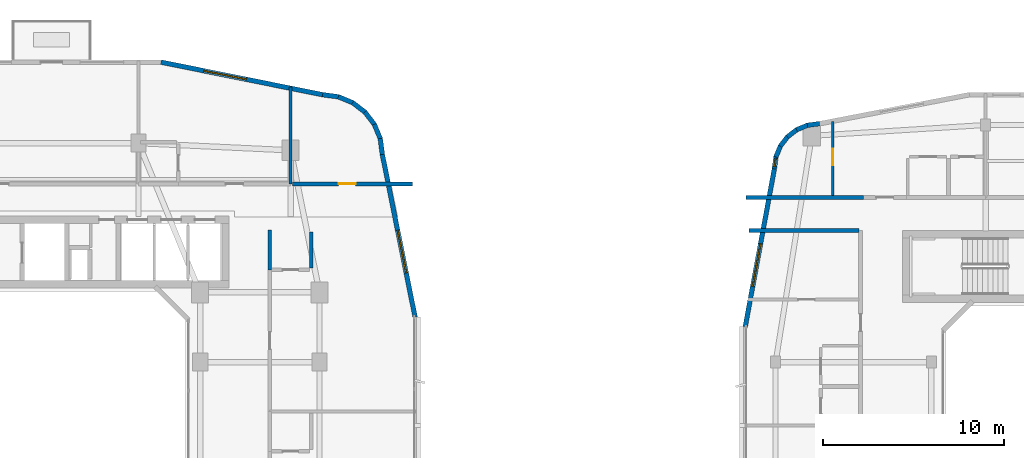
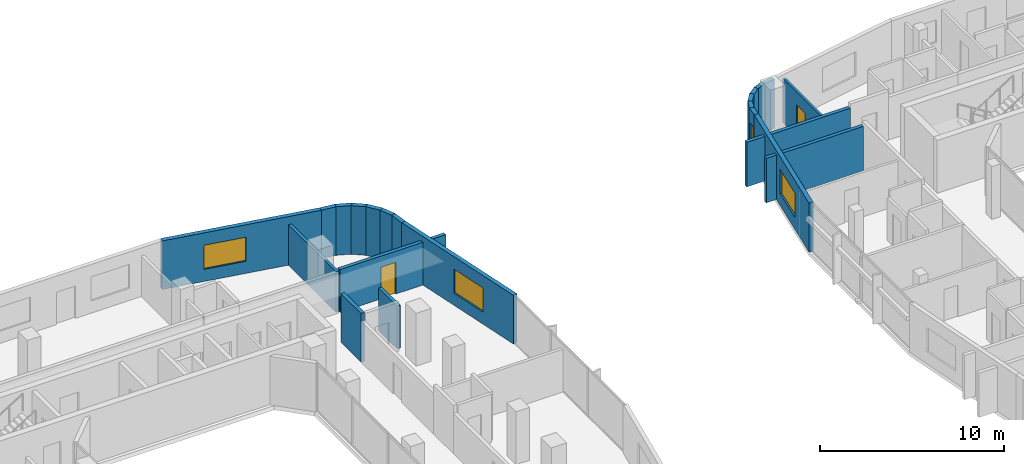
# One storey, part 12 of 22: 22 walls, 4 windows, 2 doors, 6 openings.
"""IFC4 building model written with IfcOpenShell, lengths in metres."""

import ifcopenshell
import ifcopenshell.guid

model = None  # the IFC model being written
_history = None  # IfcOwnerHistory: only IFC2X3 demands one
_inside = {}  # id of a spatial element -> (the spatial element, [elements in it])
_under = {}  # id of a project, library or spatial element -> (it, [spatial elements below it])
_declared = {}  # id of a project -> (the project, [libraries it declares])
_typed = {}  # id of a type object -> (the type object, [elements of that type])
_made_of = {}  # id of a material, layer set ... -> (it, [elements and type objects made of it])


def new_model(schema):
    """Start an empty IFC model of exactly this schema.

    Asked for "IFC4X3", IfcOpenShell would pick the latest addendum, in which some entities
    have other attributes; the version numbers below select the first issue.
    IFC2X3 requires an IfcOwnerHistory on every rooted entity: one is made here for all.
    """
    global model, _history
    if schema == "IFC4X3":
        model = ifcopenshell.file(schema_version=(4, 3, 0, 0))
    else:
        model = ifcopenshell.file(schema=schema)
    _inside.clear()
    _under.clear()
    _declared.clear()
    _typed.clear()
    _made_of.clear()
    _history = None
    if model.schema == "IFC2X3":
        org = make("IfcOrganization", Name="unknown")
        user = make(
            "IfcPersonAndOrganization",
            ThePerson=make("IfcPerson", FamilyName="unknown"),
            TheOrganization=org,
        )
        app = make(
            "IfcApplication",
            ApplicationDeveloper=org,
            Version="unknown",
            ApplicationFullName="unknown",
            ApplicationIdentifier="unknown",
        )
        _history = make(
            "IfcOwnerHistory",
            OwningUser=user,
            OwningApplication=app,
            ChangeAction="ADDED",
            CreationDate=0,
        )
    return model


def make(cls, **values):
    """One entity of the class cls with the attributes given. An attribute that is None is left unset."""
    return model.create_entity(
        cls, **{name: value for name, value in values.items() if value is not None}
    )


def rooted(cls, **values):
    """An entity with a GlobalId (a new one), such as an element, a storey or a relation."""
    return make(cls, GlobalId=ifcopenshell.guid.new(), OwnerHistory=_history, **values)


def si_unit(unit_type, name, prefix=None):
    """IfcSIUnit, for example si_unit("LENGTHUNIT", "METRE", prefix="MILLI")."""
    return make("IfcSIUnit", UnitType=unit_type, Prefix=prefix, Name=name)


def derived_unit(unit_type, elements):
    """IfcDerivedUnit: a product of units, each with its exponent."""
    return make(
        "IfcDerivedUnit",
        Elements=[
            make("IfcDerivedUnitElement", Unit=unit, Exponent=power)
            for unit, power in elements
        ],
        UnitType=unit_type,
    )


def assignment(units):
    """IfcUnitAssignment: the units of a project."""
    return None if units is None else make("IfcUnitAssignment", Units=units)


def point(xyz):
    """IfcCartesianPoint."""
    return None if xyz is None else make("IfcCartesianPoint", Coordinates=xyz)


def direction(xyz):
    """IfcDirection."""
    return None if xyz is None else make("IfcDirection", DirectionRatios=xyz)


def frame(location, z_axis=None, x_axis=None):
    """IfcAxis2Placement3D, a coordinate frame: its origin and axes. An axis left out is left unset."""
    return make(
        "IfcAxis2Placement3D",
        Location=point(location),
        Axis=direction(z_axis),
        RefDirection=direction(x_axis),
    )


def frame_2d(location, x_axis=None):
    """IfcAxis2Placement2D, a coordinate frame in the plane: its origin and x axis."""
    return make(
        "IfcAxis2Placement2D", Location=point(location), RefDirection=direction(x_axis)
    )


def origin():
    """The frame at (0, 0, 0) with its axes left unset."""
    return frame((0.0, 0.0, 0.0))


def place(relative_to, where):
    """IfcLocalPlacement: puts the frame where relative to a parent placement (None: the world)."""
    return make(
        "IfcLocalPlacement", PlacementRelTo=relative_to, RelativePlacement=where
    )


def context(
    kind, dimensions, precision=None, world=None, true_north=None, identifier=None
):
    """IfcGeometricRepresentationContext, for example the 3D "Model" context."""
    return make(
        "IfcGeometricRepresentationContext",
        ContextIdentifier=identifier,
        ContextType=kind,
        CoordinateSpaceDimension=dimensions,
        Precision=precision,
        WorldCoordinateSystem=world,
        TrueNorth=true_north,
    )


def subcontext(parent, identifier, kind, view, scale=None):
    """IfcGeometricRepresentationSubContext, for example "Body" below "Model"."""
    return make(
        "IfcGeometricRepresentationSubContext",
        ContextIdentifier=identifier,
        ContextType=kind,
        ParentContext=parent,
        TargetScale=scale,
        TargetView=view,
    )


def project(units=None, contexts=None):
    """IfcProject with its units and contexts."""
    return rooted(
        "IfcProject",
        Name="project",
        RepresentationContexts=contexts,
        UnitsInContext=assignment(units),
    )


def spatial(cls, under=None, at=None, **own):
    """A site, building, storey or space (cls), placed at a placement, below another one or the project."""
    s = rooted(cls, ObjectPlacement=at, **own)
    if under is not None:
        _under.setdefault(under.id(), (under, []))[1].append(s)
    return s


def profile(cls, at=None, kind="AREA", **sizes):
    """A parametric profile (cls). Its sizes go by their IFC names, for example OverallWidth=200.0."""
    return make(cls, ProfileType=kind, Position=at, **sizes)


def rectangle(**sizes):
    """IfcRectangleProfileDef."""
    return profile("IfcRectangleProfileDef", **sizes)


def extrude(swept, where, along, depth):
    """IfcExtrudedAreaSolid: the profile swept, set in the frame where, extruded along a direction by depth."""
    return make(
        "IfcExtrudedAreaSolid",
        SweptArea=swept,
        Position=where,
        ExtrudedDirection=direction(along),
        Depth=depth,
    )


def shape(context_of_items, identifier, shape_type, items):
    """IfcShapeRepresentation: the items that make up one representation, for example the "Body"."""
    return make(
        "IfcShapeRepresentation",
        ContextOfItems=context_of_items,
        RepresentationIdentifier=identifier,
        RepresentationType=shape_type,
        Items=items,
    )


def material(Name=None, Category=None):
    """IfcMaterial."""
    return make("IfcMaterial", Name=Name, Category=Category)


def layer(
    of_material, thickness, ventilated=None, Name=None, Category=None, Priority=None
):
    """IfcMaterialLayer: one layer of a wall or slab, of a material (None: an air gap)."""
    return make(
        "IfcMaterialLayer",
        Material=of_material,
        LayerThickness=thickness,
        IsVentilated=ventilated,
        Name=Name,
        Category=Category,
        Priority=Priority,
    )


def layer_set(layers, Name=None):
    """IfcMaterialLayerSet."""
    return make("IfcMaterialLayerSet", MaterialLayers=layers, LayerSetName=Name)


def made_of(thing, what):
    """Note that an element or type object is made of a material, layer set ...; save() writes the relation."""
    if what is not None:
        _made_of.setdefault(what.id(), (what, []))[1].append(thing)
    return thing


def type_object(cls, material=None, **own):
    """A type object (cls), such as IfcWallType, which elements share."""
    return made_of(rooted(cls, **own), material)


def element(
    cls,
    number,
    at=None,
    inside=None,
    cuts=None,
    type_object=None,
    material=None,
    context=None,
    identifier="Body",
    shape_type=None,
    held_by="IfcProductDefinitionShape",
    body=None,
    shapes=None,
    **own,
):
    """One element of the class cls, such as IfcWall. Its Tag is "e" and its number.

    at: its placement. inside: the storey or other place that contains it. cuts: it is an
    opening in that element (IfcRelVoidsElement). A single representation is given by context,
    identifier, shape_type and body (its items); several are given by shapes. held_by: the class
    of the entity that holds the representations. save() writes the other relations.
    """
    e = rooted(cls, Tag="e%d" % number, ObjectPlacement=at, **own)
    if body is not None:
        shapes = [shape(context, identifier, shape_type, body)]
    if shapes is not None:
        e.Representation = make(held_by, Representations=shapes)
    if inside is not None:
        _inside.setdefault(inside.id(), (inside, []))[1].append(e)
    if cuts is not None:
        rooted(
            "IfcRelVoidsElement", RelatingBuildingElement=cuts, RelatedOpeningElement=e
        )
    if type_object is not None:
        _typed.setdefault(type_object.id(), (type_object, []))[1].append(e)
    return made_of(e, material)


def fill(opening, filler):
    """IfcRelFillsElement: the door or window that sits in an opening."""
    return rooted(
        "IfcRelFillsElement",
        RelatingOpeningElement=opening,
        RelatedBuildingElement=filler,
    )


def aggregate(whole, parts):
    """IfcRelAggregates: a whole, such as a stair, and the parts it consists of."""
    return rooted("IfcRelAggregates", RelatingObject=whole, RelatedObjects=parts)


def save(model, path):
    """Write the relations noted so far, then the file.

    IfcRelAggregates (storeys below a building ...), IfcRelContainedInSpatialStructure (elements
    in a storey), IfcRelDefinesByType, IfcRelAssociatesMaterial and IfcRelDeclares: one each for
    every whole, place, type object, material and project.
    """
    for whole, parts in _under.values():
        aggregate(whole, parts)
    for where, things in _inside.values():
        rooted(
            "IfcRelContainedInSpatialStructure",
            RelatedElements=things,
            RelatingStructure=where,
        )
    for kind, things in _typed.values():
        rooted("IfcRelDefinesByType", RelatedObjects=things, RelatingType=kind)
    for what, things in _made_of.values():
        rooted("IfcRelAssociatesMaterial", RelatedObjects=things, RelatingMaterial=what)
    for by, libraries in _declared.values():
        rooted("IfcRelDeclares", RelatingContext=by, RelatedDefinitions=libraries)
    model.write(path)


model = new_model("IFC4")

# Units and contexts
model_context = context("Model", 3, precision=1e-05, world=origin(), true_north=direction((0.0, 1.0)))
body_context = subcontext(model_context, "Body", "Model", "MODEL_VIEW")
ifc_project = project(units=[si_unit("LENGTHUNIT", "METRE"), si_unit("AREAUNIT", "SQUARE_METRE"), si_unit("VOLUMEUNIT", "CUBIC_METRE"), si_unit("PLANEANGLEUNIT", "RADIAN"), si_unit("MASSUNIT", "GRAM", prefix="KILO"), derived_unit("THERMALTRANSMITTANCEUNIT", [(si_unit("POWERUNIT", "WATT"), 1), (si_unit("LENGTHUNIT", "METRE"), -2), (si_unit("THERMODYNAMICTEMPERATUREUNIT", "KELVIN"), -1)])], contexts=[model_context])

# Site, building, storey
site_placement = place(None, origin())
site = spatial("IfcSite", under=ifc_project, at=site_placement, CompositionType="ELEMENT")
building_placement = place(site_placement, origin())
building = spatial("IfcBuilding", under=site, at=building_placement, Name="Kivonza Crest Hotel", CompositionType="ELEMENT")
storey_placement = place(building_placement, frame((0.0, 0.0, 112.5)))
storey = spatial("IfcBuildingStorey", under=building, at=storey_placement, Name="L30", CompositionType="ELEMENT", Elevation=112.5)

# Wall
ifc_material_1 = material(Name="High-density acoustic masonry inter-tenancy wall", Category="masonry")
ifc_layer_1 = layer(ifc_material_1, 0.179931640625)
ifc_layer_set_1 = layer_set([ifc_layer_1], Name="High-density acoustic masonry inter-tenancy wall")
wall_type_1 = type_object("IfcWallType", Name="WL-ACOU-180", PredefinedType="SOLIDWALL", material=ifc_layer_set_1)
wall_1_placement = place(storey_placement, frame((34.199951171875, 38.35009765625, 0.0), z_axis=(0.0, 0.0, 1.0), x_axis=(0.0, 1.0, 0.0)))
element("IfcWall", 1, at=wall_1_placement, inside=storey, type_object=wall_type_1, Name="L30 interior partition WA-L30-T1N-DIV3", PredefinedType="SOLIDWALL", context=body_context, shape_type="SweptSolid", body=[
    extrude(rectangle(XDim=5.350830078125, YDim=0.179931640625, at=frame_2d((2.67529296875, 0.0))), origin(), (0.0, 0.0, 1.0), 2.695068359375),
])

# Wall, opening, door
ifc_material_2 = material(Name="Autoclaved aerated concrete blockwork", Category="masonry")
ifc_layer_2 = layer(ifc_material_2, 0.219970703125)
ifc_layer_set_2 = layer_set([ifc_layer_2], Name="Autoclaved aerated concrete blockwork")
wall_type_2 = type_object("IfcWallType", Name="WL-ACOU-220", PredefinedType="SOLIDWALL", material=ifc_layer_set_2)
wall_2_placement = place(storey_placement, frame((34.300048828125, 38.35009765625, 0.0), z_axis=(0.0, 0.0, 1.0), x_axis=(1.0, 0.0, 0.0)))
wall_2 = element("IfcWall", 2, at=wall_2_placement, inside=storey, type_object=wall_type_2, Name="L30 interior partition WA-L30-N-AMEN-S", PredefinedType="SOLIDWALL", context=body_context, shape_type="SweptSolid", body=[
    extrude(rectangle(XDim=6.639892578125, YDim=0.219970703125, at=frame_2d((3.31982421875, 0.0))), origin(), (0.0, 0.0, 1.0), 2.8349609375),
])
opening_1_placement = place(wall_2_placement, frame((2.550048828125, 0.0, 0.0)))
opening_1 = element("IfcOpeningElement", 3, at=opening_1_placement, cuts=wall_2, Name="Opening DF-60S", PredefinedType="OPENING", context=body_context, shape_type="SweptSolid", body=[
    extrude(rectangle(XDim=0.949951171875, YDim=2.10009765625, at=frame_2d((0.47509765625, 1.050048828125))), frame((0.0, 0.1201171875, 0.0), z_axis=(0.0, -1.0, 0.0), x_axis=(1.0, 0.0, 0.0)), (0.0, 0.0, 1.0), 0.239990234375),
])
ifc_material_3 = material(Name="Hardwood timber oak", Category="wood")
door_type_1 = type_object("IfcDoorType", Name="DR-FD60-950", OperationType="NOTDEFINED", PredefinedType="DOOR", material=ifc_material_3)
door_1_placement = place(opening_1_placement, origin())
door_1 = element("IfcDoor", 4, at=door_1_placement, inside=storey, type_object=door_type_1, Name="L30 Guest Business Office door", OperationType="SINGLE_SWING_LEFT", OverallHeight=2.10009765625, OverallWidth=0.949951171875, PredefinedType="DOOR", context=body_context, shape_type="SweptSolid", body=[
    extrude(rectangle(XDim=0.949951171875, YDim=2.10009765625, at=frame_2d((0.47509765625, 1.050048828125))), frame((0.0, 0.02490234375, 0.0), z_axis=(0.0, -1.0, 0.0), x_axis=(1.0, 0.0, 0.0)), (0.0, 0.0, 1.0), 0.050048828125),
])
fill(opening_1, door_1)

# Walls
wall_3_placement = place(storey_placement, frame((33.050048828125, 33.60009765625, 0.0), z_axis=(0.0, 0.0, 1.0), x_axis=(0.0, 1.0, 0.0)))
element("IfcWall", 5, at=wall_3_placement, inside=storey, type_object=wall_type_2, Name="L30 interior partition WA-L30-E06-BCORR", PredefinedType="SOLIDWALL", context=body_context, shape_type="SweptSolid", body=[
    extrude(rectangle(XDim=2.199951171875, YDim=0.219970703125, at=frame_2d((1.10009765625, 0.0))), origin(), (0.0, 0.0, 1.0), 3.219970703125),
])
wall_4_placement = place(storey_placement, frame((59.360107421875, 37.60009765625, 0.0), z_axis=(0.0, 0.0, 1.0), x_axis=(1.0, 0.0, 0.0)))
element("IfcWall", 6, at=wall_4_placement, inside=storey, type_object=wall_type_2, Name="L30 interior partition WA-L30-A01-LCORR", PredefinedType="SOLIDWALL", context=body_context, shape_type="SweptSolid", body=[
    extrude(rectangle(XDim=6.489990234375, YDim=0.219970703125, at=frame_2d((3.2451171875, 0.0))), origin(), (0.0, 0.0, 1.0), 2.945068359375),
])
wall_5_placement = place(storey_placement, frame((59.52001953125, 35.760009765625, 0.0), z_axis=(0.0, 0.0, 1.0), x_axis=(1.0, 0.0, 0.0)))
element("IfcWall", 7, at=wall_5_placement, inside=storey, type_object=wall_type_2, Name="L30 interior partition WA-L30-T2W-ENDN", PredefinedType="SOLIDWALL", context=body_context, shape_type="SweptSolid", body=[
    extrude(rectangle(XDim=6.080078125, YDim=0.219970703125, at=frame_2d((3.0400390625, 0.0))), origin(), (0.0, 0.0, 1.0), 2.945068359375),
])

# Wall, opening, window
ifc_material_4 = material(Name="Precast concrete C40/50", Category="concrete")
ifc_layer_3 = layer(ifc_material_4, 0.260009765625)
ifc_layer_set_3 = layer_set([ifc_layer_3], Name="Precast concrete C40/50")
wall_type_3 = type_object("IfcWallType", Name="WL-EXT-260", PredefinedType="STANDARD", material=ifc_layer_set_3)
wall_6_placement = place(storey_placement, frame((41.083984375, 30.97998046875, 0.0), z_axis=(0.0, 0.0, 1.0), x_axis=(-0.197435082048, 0.980315963543, 0.0)))
wall_6 = element("IfcWall", 8, at=wall_6_placement, inside=storey, type_object=wall_type_3, Name="L30 T1 exterior insulated wall 18", PredefinedType="STANDARD", context=body_context, shape_type="SweptSolid", body=[
    extrude(rectangle(XDim=9.1826171875, YDim=0.260009765625, at=frame_2d((4.59130859375, 0.0))), origin(), (0.0, 0.0, 1.0), 3.219970703125),
])
opening_2_placement = place(wall_6_placement, frame((2.4970703125, 0.0, 0.800048828125)))
opening_2 = element("IfcOpeningElement", 9, at=opening_2_placement, cuts=wall_6, Name="Opening WN-05", PredefinedType="OPENING", context=body_context, shape_type="SweptSolid", body=[
    extrude(rectangle(XDim=2.39990234375, YDim=1.60009765625, at=frame_2d((1.199951171875, 0.800048828125))), frame((0.0, 0.14013671875, 0.0), z_axis=(0.0, -1.0, 0.0), x_axis=(1.0, 0.0, 0.0)), (0.0, 0.0, 1.0), 0.280029296875),
])
ifc_material_5 = material(Name="Thermally broken bronze aluminium and low-E double glazing", Category="aluminium")
window_type_1 = type_object("IfcWindowType", Name="WN-240x160", PartitioningType="TRIPLE_PANEL_VERTICAL", PredefinedType="WINDOW", material=ifc_material_5)
window_1_placement = place(opening_2_placement, origin())
window_1 = element("IfcWindow", 10, at=window_1_placement, inside=storey, type_object=window_type_1, Name="L30 T1 facade window 18", OverallHeight=1.60009765625, OverallWidth=2.39990234375, PartitioningType="SINGLE_PANEL", PredefinedType="WINDOW", context=body_context, shape_type="SweptSolid", body=[
    extrude(rectangle(XDim=2.39990234375, YDim=1.60009765625, at=frame_2d((1.199951171875, 0.800048828125))), frame((0.0, 0.030029296875, 0.0), z_axis=(0.0, -1.0, 0.0), x_axis=(1.0, 0.0, 0.0)), (0.0, 0.0, 1.0), 0.06005859375),
])
fill(opening_2, window_1)

# Walls
wall_7_placement = place(storey_placement, frame((39.27197265625, 39.97509765625, 0.0), z_axis=(0.0, 0.0, 1.0), x_axis=(-0.130953706898, 0.991388484223, 0.0)))
element("IfcWall", 11, at=wall_7_placement, inside=storey, type_object=wall_type_3, Name="L30 T1 exterior insulated wall 19", PredefinedType="STANDARD", context=body_context, shape_type="SweptSolid", body=[
    extrude(rectangle(XDim=0.885498046875, YDim=0.260009765625, at=frame_2d((0.44287109375, 0.0))), origin(), (0.0, 0.0, 1.0), 3.219970703125),
])
wall_8_placement = place(storey_placement, frame((39.174072265625, 40.806884765625, 0.0), z_axis=(0.0, 0.0, 1.0), x_axis=(-0.383290660547, 0.923627776508, 0.0)))
element("IfcWall", 12, at=wall_8_placement, inside=storey, type_object=wall_type_3, Name="L30 T1 exterior insulated wall 20", PredefinedType="STANDARD", context=body_context, shape_type="SweptSolid", body=[
    extrude(rectangle(XDim=0.9033203125, YDim=0.260009765625, at=frame_2d((0.45166015625, 0.0))), origin(), (0.0, 0.0, 1.0), 3.219970703125),
])
wall_9_placement = place(storey_placement, frame((38.85595703125, 41.60107421875, 0.0), z_axis=(0.0, 0.0, 1.0), x_axis=(-0.608624690463, 0.793458244748, 0.0)))
element("IfcWall", 13, at=wall_9_placement, inside=storey, type_object=wall_type_3, Name="L30 T1 exterior insulated wall 21", PredefinedType="STANDARD", context=body_context, shape_type="SweptSolid", body=[
    extrude(rectangle(XDim=0.902099609375, YDim=0.260009765625, at=frame_2d((0.451171875, 0.0))), origin(), (0.0, 0.0, 1.0), 3.219970703125),
])
wall_10_placement = place(storey_placement, frame((38.344970703125, 42.285888671875, 0.0), z_axis=(0.0, 0.0, 1.0), x_axis=(-0.793558456666, 0.608494022858, 0.0)))
element("IfcWall", 14, at=wall_10_placement, inside=storey, type_object=wall_type_3, Name="L30 T1 exterior insulated wall 22", PredefinedType="STANDARD", context=body_context, shape_type="SweptSolid", body=[
    extrude(rectangle(XDim=0.90234375, YDim=0.260009765625, at=frame_2d((0.451171875, 0.0))), origin(), (0.0, 0.0, 1.0), 3.219970703125),
])
wall_11_placement = place(storey_placement, frame((37.673095703125, 42.81396484375, 0.0), z_axis=(0.0, 0.0, 1.0), x_axis=(-0.923683767999, 0.383155708213, 0.0)))
element("IfcWall", 15, at=wall_11_placement, inside=storey, type_object=wall_type_3, Name="L30 T1 exterior insulated wall 23", PredefinedType="STANDARD", context=body_context, shape_type="SweptSolid", body=[
    extrude(rectangle(XDim=0.90283203125, YDim=0.260009765625, at=frame_2d((0.451416015625, 0.0))), origin(), (0.0, 0.0, 1.0), 3.219970703125),
])
wall_12_placement = place(storey_placement, frame((36.887939453125, 43.152099609375, 0.0), z_axis=(0.0, 0.0, 1.0), x_axis=(-0.991487658083, 0.130200706103, 0.0)))
element("IfcWall", 16, at=wall_12_placement, inside=storey, type_object=wall_type_3, Name="L30 T1 exterior insulated wall 24", PredefinedType="STANDARD", context=body_context, shape_type="SweptSolid", body=[
    extrude(rectangle(XDim=0.920654296875, YDim=0.260009765625, at=frame_2d((0.46044921875, 0.0))), origin(), (0.0, 0.0, 1.0), 3.219970703125),
])

# Wall, opening, window
wall_13_placement = place(storey_placement, frame((35.98193359375, 43.27099609375, 0.0), z_axis=(0.0, 0.0, 1.0), x_axis=(-0.980317172899, 0.197429077186, 0.0)))
wall_13 = element("IfcWall", 17, at=wall_13_placement, inside=storey, type_object=wall_type_3, Name="L30 T1 exterior insulated wall 25", PredefinedType="STANDARD", context=body_context, shape_type="SweptSolid", body=[
    extrude(rectangle(XDim=9.117431640625, YDim=0.260009765625, at=frame_2d((4.55859375, 0.0))), origin(), (0.0, 0.0, 1.0), 3.219970703125),
])
opening_3_placement = place(wall_13_placement, frame((4.304931640625, 0.0, 0.800048828125)))
opening_3 = element("IfcOpeningElement", 18, at=opening_3_placement, cuts=wall_13, Name="Opening WN-05", PredefinedType="OPENING", context=body_context, shape_type="SweptSolid", body=[
    extrude(rectangle(XDim=2.39990234375, YDim=1.60009765625, at=frame_2d((1.199951171875, 0.800048828125))), frame((0.0, 0.14013671875, 0.0), z_axis=(0.0, -1.0, 0.0), x_axis=(1.0, 0.0, 0.0)), (0.0, 0.0, 1.0), 0.280029296875),
])
window_2_placement = place(opening_3_placement, origin())
window_2 = element("IfcWindow", 19, at=window_2_placement, inside=storey, type_object=window_type_1, Name="L30 T1 facade window 25", OverallHeight=1.60009765625, OverallWidth=2.39990234375, PartitioningType="SINGLE_PANEL", PredefinedType="WINDOW", context=body_context, shape_type="SweptSolid", body=[
    extrude(rectangle(XDim=2.39990234375, YDim=1.60009765625, at=frame_2d((1.199951171875, 0.800048828125))), frame((0.0, 0.030029296875, 0.0), z_axis=(0.0, -1.0, 0.0), x_axis=(1.0, 0.0, 0.0)), (0.0, 0.0, 1.0), 0.06005859375),
])
fill(opening_3, window_2)

# Walls
wall_14_placement = place(storey_placement, frame((63.425048828125, 41.672119140625, 0.0), z_axis=(0.0, 0.0, 1.0), x_axis=(-0.991300187529, -0.13162043232, 0.0)))
element("IfcWall", 20, at=wall_14_placement, inside=storey, type_object=wall_type_3, Name="L30 T2 exterior insulated wall 28", PredefinedType="STANDARD", context=body_context, shape_type="SweptSolid", body=[
    extrude(rectangle(XDim=0.677001953125, YDim=0.260009765625, at=frame_2d((0.33837890625, 0.0))), origin(), (0.0, 0.0, 1.0), 3.25),
])
for number, where, z_axis, x_axis, name in (
    (21, (62.800048828125, 41.60107421875, 0.0), (0.0, 0.0, 1.0), (-0.924093981904, -0.382165294877, 0.0), "L30 T2 exterior insulated wall 29"),
    (22, (62.198974609375, 41.364013671875, 0.0), (0.0, 0.0, 1.0), (-0.792637067512, -0.609693758543, 0.0), "L30 T2 exterior insulated wall 30"),
    (23, (61.679931640625, 40.97900390625, 0.0), (0.0, 0.0, 1.0), (-0.609472651958, -0.792807092876, 0.0), "L30 T2 exterior insulated wall 31"),
):
    element("IfcWall", number, at=place(storey_placement, frame(where, z_axis=z_axis, x_axis=x_axis)), inside=storey, type_object=wall_type_3, Name=name, PredefinedType="STANDARD", context=body_context, shape_type="SweptSolid", body=[
        extrude(rectangle(XDim=0.69384765625, YDim=0.260009765625, at=frame_2d((0.346923828125, 0.0))), origin(), (0.0, 0.0, 1.0), 3.25),
    ])
wall_15_placement = place(storey_placement, frame((61.278076171875, 40.472900390625, 0.0), z_axis=(0.0, 0.0, 1.0), x_axis=(-0.382289608286, -0.924042561464, 0.0)))
element("IfcWall", 24, at=wall_15_placement, inside=storey, type_object=wall_type_3, Name="L30 T2 exterior insulated wall 32", PredefinedType="STANDARD", context=body_context, shape_type="SweptSolid", body=[
    extrude(rectangle(XDim=0.693603515625, YDim=0.260009765625, at=frame_2d((0.3466796875, 0.0))), origin(), (0.0, 0.0, 1.0), 3.25),
])

# Wall, opening, window
wall_16_placement = place(storey_placement, frame((61.02099609375, 39.881103515625, 0.0), z_axis=(0.0, 0.0, 1.0), x_axis=(-0.130614135366, -0.991433279471, 0.0)))
wall_16 = element("IfcWall", 25, at=wall_16_placement, inside=storey, type_object=wall_type_3, Name="L30 T2 exterior insulated wall 33", PredefinedType="STANDARD", context=body_context, shape_type="SweptSolid", body=[
    extrude(rectangle(XDim=0.712158203125, YDim=0.260009765625, at=frame_2d((0.35595703125, 0.0))), origin(), (0.0, 0.0, 1.0), 3.25),
])
opening_4_placement = place(wall_16_placement, frame((0.131103515625, 0.0, 0.85009765625)))
opening_4 = element("IfcOpeningElement", 26, at=opening_4_placement, cuts=wall_16, Name="Opening WN-11", PredefinedType="OPENING", context=body_context, shape_type="SweptSolid", body=[
    extrude(rectangle(XDim=0.449951171875, YDim=1.5, at=frame_2d((0.22509765625, 0.75))), frame((0.0, 0.14013671875, 0.0), z_axis=(0.0, -1.0, 0.0), x_axis=(1.0, 0.0, 0.0)), (0.0, 0.0, 1.0), 0.280029296875),
])
window_type_2 = type_object("IfcWindowType", Name="WN-045x150", PartitioningType="SINGLE_PANEL", PredefinedType="WINDOW", material=ifc_material_5)
window_3_placement = place(opening_4_placement, origin())
window_3 = element("IfcWindow", 27, at=window_3_placement, inside=storey, type_object=window_type_2, Name="L30 corner vision window 1", OverallHeight=1.5, OverallWidth=0.449951171875, PartitioningType="SINGLE_PANEL", PredefinedType="WINDOW", context=body_context, shape_type="SweptSolid", body=[
    extrude(rectangle(XDim=0.449951171875, YDim=1.5, at=frame_2d((0.22509765625, 0.75))), frame((0.0, 0.030029296875, 0.0), z_axis=(0.0, -1.0, 0.0), x_axis=(1.0, 0.0, 0.0)), (0.0, 0.0, 1.0), 0.06005859375),
])
fill(opening_4, window_3)

wall_17_placement = place(storey_placement, frame((60.928955078125, 39.18408203125, 0.0), z_axis=(0.0, 0.0, 1.0), x_axis=(-0.181209963057, -0.983444431215, 0.0)))
wall_17 = element("IfcWall", 28, at=wall_17_placement, inside=storey, type_object=wall_type_3, Name="L30 T2 exterior insulated wall 34", PredefinedType="STANDARD", context=body_context, shape_type="SweptSolid", body=[
    extrude(rectangle(XDim=8.889404296875, YDim=0.260009765625, at=frame_2d((4.44482421875, 0.0))), origin(), (0.0, 0.0, 1.0), 3.25),
])
opening_5_placement = place(wall_17_placement, frame((4.214111328125, 0.0, 0.800048828125)))
opening_5 = element("IfcOpeningElement", 29, at=opening_5_placement, cuts=wall_17, Name="Opening WN-05", PredefinedType="OPENING", context=body_context, shape_type="SweptSolid", body=[
    extrude(rectangle(XDim=2.39990234375, YDim=1.60009765625, at=frame_2d((1.199951171875, 0.800048828125))), frame((0.0, 0.14013671875, 0.0), z_axis=(0.0, -1.0, 0.0), x_axis=(1.0, 0.0, 0.0)), (0.0, 0.0, 1.0), 0.280029296875),
])
window_4_placement = place(opening_5_placement, origin())
window_4 = element("IfcWindow", 30, at=window_4_placement, inside=storey, type_object=window_type_1, Name="L30 T2 facade window 34", OverallHeight=1.60009765625, OverallWidth=2.39990234375, PartitioningType="SINGLE_PANEL", PredefinedType="WINDOW", context=body_context, shape_type="SweptSolid", body=[
    extrude(rectangle(XDim=2.39990234375, YDim=1.60009765625, at=frame_2d((1.199951171875, 0.800048828125))), frame((0.0, 0.030029296875, 0.0), z_axis=(0.0, -1.0, 0.0), x_axis=(1.0, 0.0, 0.0)), (0.0, 0.0, 1.0), 0.06005859375),
])
fill(opening_5, window_4)

# Wall, opening, door
ifc_material_6 = material(Name="Twin-stud acoustic gypsum board partition", Category="gypsum")
ifc_layer_4 = layer(ifc_material_6, 0.14990234375)
ifc_layer_set_4 = layer_set([ifc_layer_4], Name="Twin-stud acoustic gypsum board partition")
wall_type_4 = type_object("IfcWallType", Name="WL-PART-150", PredefinedType="PARTITIONING", material=ifc_layer_set_4)
wall_18_placement = place(storey_placement, frame((64.159912109375, 37.699951171875, 0.0), z_axis=(0.0, 0.0, 1.0), x_axis=(0.0, 1.0, 0.0)))
wall_18 = element("IfcWall", 31, at=wall_18_placement, inside=storey, type_object=wall_type_4, Name="L30 interior partition WP-L30-A01-BDW1", PredefinedType="PARTITIONING", context=body_context, shape_type="SweptSolid", body=[
    extrude(rectangle(XDim=4.0859375, YDim=0.14990234375, at=frame_2d((2.04296875, 0.0))), origin(), (0.0, 0.0, 1.0), 2.945068359375),
])
opening_6_placement = place(wall_18_placement, frame((1.679931640625, 0.0, 0.0)))
opening_6 = element("IfcOpeningElement", 32, at=opening_6_placement, cuts=wall_18, Name="Opening DI-90", PredefinedType="OPENING", context=body_context, shape_type="SweptSolid", body=[
    extrude(rectangle(XDim=0.89990234375, YDim=2.10009765625, at=frame_2d((0.449951171875, 1.050048828125))), frame((0.0, 0.0849609375, 0.0), z_axis=(0.0, -1.0, 0.0), x_axis=(1.0, 0.0, 0.0)), (0.0, 0.0, 1.0), 0.169921875),
])
door_type_2 = type_object("IfcDoorType", Name="DR-INT-900", OperationType="NOTDEFINED", PredefinedType="DOOR", material=ifc_material_3)
door_2_placement = place(opening_6_placement, origin())
door_2 = element("IfcDoor", 33, at=door_2_placement, inside=storey, type_object=door_type_2, Name="L30 A01 bedroom 1 door", OperationType="SINGLE_SWING_RIGHT", OverallHeight=2.10009765625, OverallWidth=0.89990234375, PredefinedType="DOOR", context=body_context, shape_type="SweptSolid", body=[
    extrude(rectangle(XDim=0.89990234375, YDim=2.10009765625, at=frame_2d((0.449951171875, 1.050048828125))), frame((0.0, 0.02490234375, 0.0), z_axis=(0.0, -1.0, 0.0), x_axis=(1.0, 0.0, 0.0)), (0.0, 0.0, 1.0), 0.050048828125),
])
fill(opening_6, door_2)

# Wall
ifc_material_7 = material(Name="Moisture-resistant plumbing chase partition wall", Category="gypsum")
ifc_layer_5 = layer(ifc_material_7, 0.199951171875)
ifc_layer_set_5 = layer_set([ifc_layer_5], Name="Moisture-resistant plumbing chase partition wall")
wall_type_5 = type_object("IfcWallType", Name="WL-PLUMB-200", PredefinedType="PLUMBINGWALL", material=ifc_layer_set_5)
wall_19_placement = place(storey_placement, frame((35.35009765625, 33.699951171875, 0.0), z_axis=(0.0, 0.0, 1.0), x_axis=(0.0, 1.0, 0.0)))
element("IfcWall", 34, at=wall_19_placement, inside=storey, type_object=wall_type_5, Name="L30 interior partition WW-L30-E06-BV", PredefinedType="PLUMBINGWALL", context=body_context, shape_type="SweptSolid", body=[
    extrude(rectangle(XDim=2.0, YDim=0.199951171875, at=frame_2d((1.0, 0.0))), origin(), (0.0, 0.0, 1.0), 2.8349609375),
])

save(model, "model.ifc")
